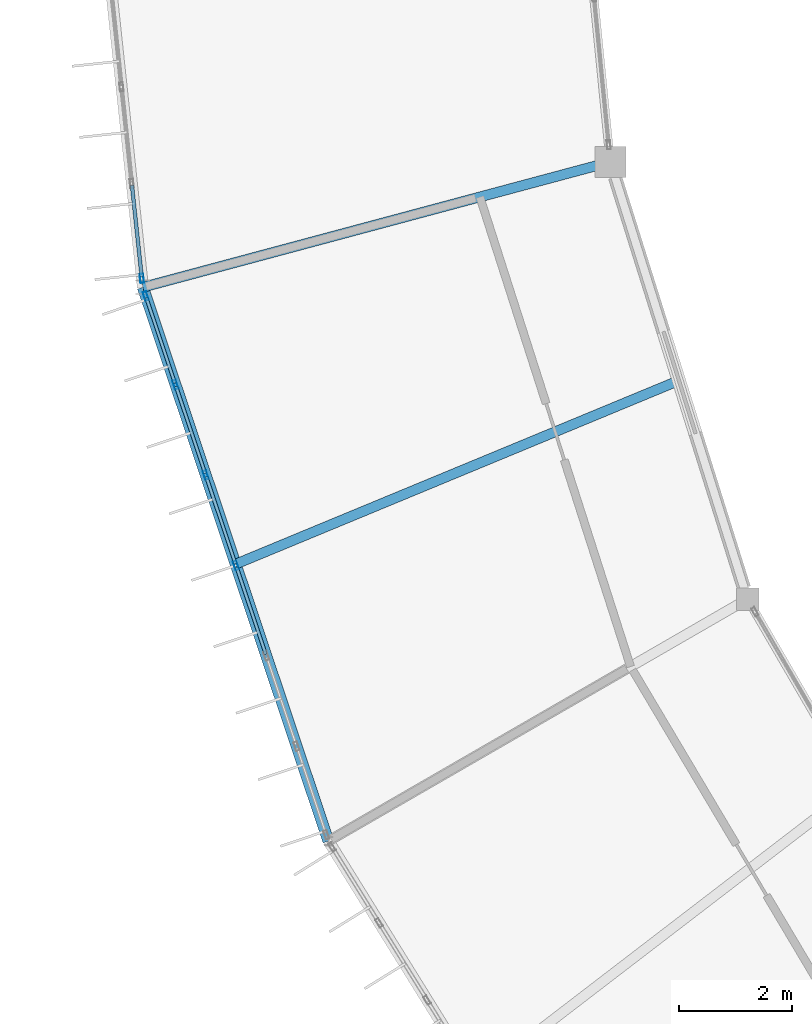
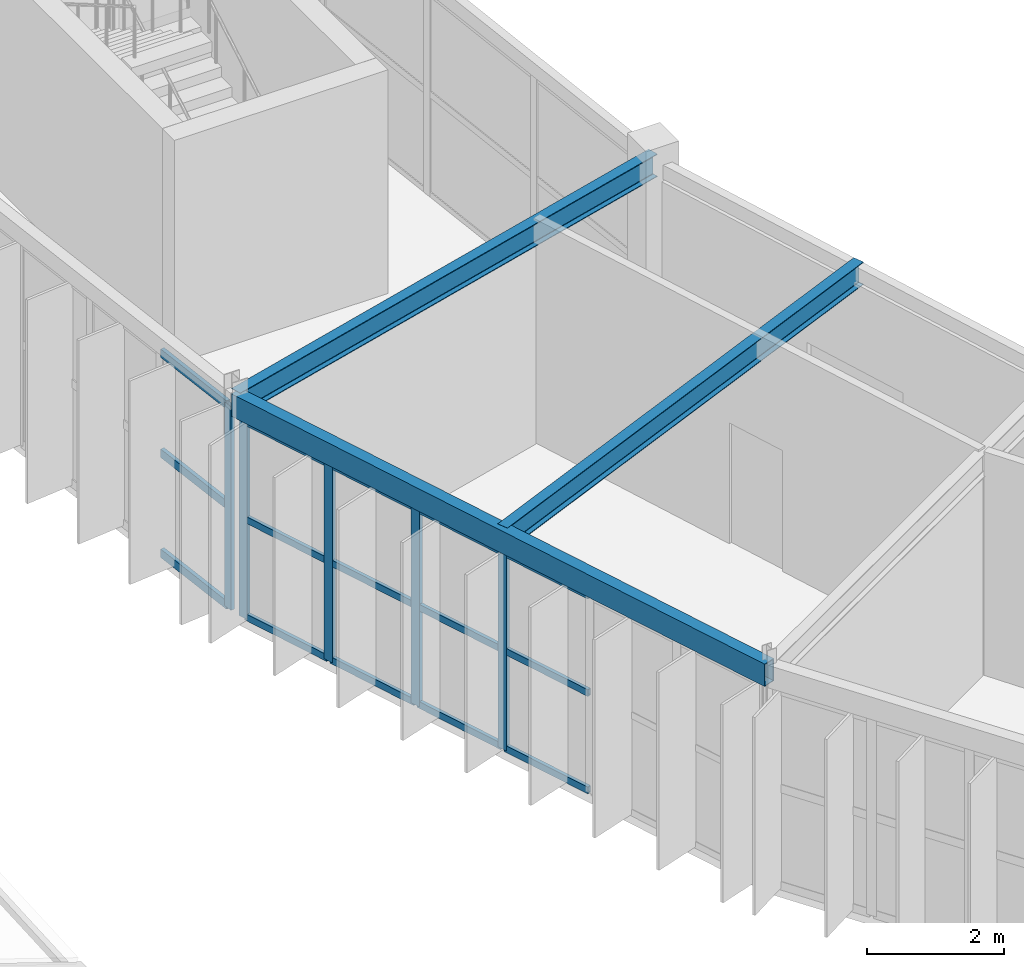
# One storey, part 39 of 134: 20 members, 3 beams, 2 elements without a shape of their own.
"""IFC4 building model written with IfcOpenShell, lengths in metres."""

from ifc_helpers import new_model, si_unit, direction, frame, origin, origin_2d, place, context, subcontext, project, spatial, hollow_rectangle, i_section, extrude, material, material_profile, profile_set, type_object, element, aggregate, save


model = new_model("IFC4")

# Units and contexts
model_context = context("Model", 3, precision=1e-05, world=origin(), true_north=direction((0.0, 1.0)))
body_context = subcontext(model_context, "Body", "Model", "MODEL_VIEW")
ifc_project = project(units=[si_unit("LENGTHUNIT", "METRE"), si_unit("AREAUNIT", "SQUARE_METRE"), si_unit("VOLUMEUNIT", "CUBIC_METRE"), si_unit("PLANEANGLEUNIT", "RADIAN"), si_unit("MASSUNIT", "GRAM", prefix="KILO")], contexts=[model_context])

# Site, building, storey
site_placement = place(None, origin())
site = spatial("IfcSite", under=ifc_project, at=site_placement, CompositionType="ELEMENT")
building_placement = place(site_placement, origin())
building = spatial("IfcBuilding", under=site, at=building_placement, Name="Karori Crest Natural Sciences Institute", CompositionType="ELEMENT")
storey_placement = place(building_placement, frame((0.0, 0.0, 21.699951171875)))
storey = spatial("IfcBuildingStorey", under=building, at=storey_placement, Name="L05", CompositionType="ELEMENT", Elevation=21.699951171875)

# Beams
ifc_material_1 = material(Name="Structural steel AS/NZS 3679.1 Grade 350", Category="steel")
ifc_material_profile_1 = material_profile(ifc_material_1, i_section(OverallWidth=0.177978515625, OverallDepth=0.406005859375, WebThickness=0.0078125, FlangeThickness=0.0126953125, FilletRadius=0.010986328125, at=origin_2d()), Name="410UB59.7")
ifc_profile_set_1 = profile_set([ifc_material_profile_1], Name="Structural steel AS/NZS 3679.1 Grade 350")
beam_type_1 = type_object("IfcBeamType", Name="BT-07", PredefinedType="BEAM", material=ifc_profile_set_1)
beam_1_placement = place(storey_placement, frame((42.831298828125, 41.56591796875, 3.739990234375), z_axis=(-0.965925622404, -0.258819806009, 0.0), x_axis=(0.258819806009, -0.965925622404, 0.0)))
element("IfcBeam", 1, at=beam_1_placement, inside=storey, type_object=beam_type_1, Name="Beam B-0685", PredefinedType="BEAM", context=body_context, shape_type="SweptSolid", body=[
    extrude(i_section(OverallWidth=0.177978515625, OverallDepth=0.406005859375, WebThickness=0.0078125, FlangeThickness=0.0126953125, FilletRadius=0.010986328125, at=origin_2d()), origin(), (0.0, 0.0, 1.0), 8.599853515625),
])
beam_2_placement = place(storey_placement, frame((44.05029296875, 37.68310546875, 3.739990234375), z_axis=(-0.923879682373, -0.382683070567, 0.0), x_axis=(0.382683070567, -0.923879682373, 0.0)))
element("IfcBeam", 2, at=beam_2_placement, inside=storey, type_object=beam_type_1, Name="Beam B-2894", PredefinedType="BEAM", context=body_context, shape_type="SweptSolid", body=[
    extrude(i_section(OverallWidth=0.177978515625, OverallDepth=0.406005859375, WebThickness=0.0078125, FlangeThickness=0.0126953125, FilletRadius=0.010986328125, at=origin_2d()), origin(), (0.0, 0.0, 1.0), 8.5263671875),
])
ifc_material_2 = material(Name="Hollow structural steel AS/NZS 1163 Grade C350", Category="steel")
ifc_material_profile_2 = material_profile(ifc_material_2, hollow_rectangle(XDim=0.199951171875, YDim=0.39990234375, WallThickness=0.012451171875, at=origin_2d()), Name="RHS400x200x12.5")
ifc_profile_set_2 = profile_set([ifc_material_profile_2], Name="Hollow structural steel AS/NZS 1163 Grade C350")
beam_type_2 = type_object("IfcBeamType", Name="BT-14", PredefinedType="SPANDREL", material=ifc_profile_set_2)
beam_3_placement = place(storey_placement, frame((34.5244140625, 39.340087890625, 3.739990234375), z_axis=(0.317688324477, -0.948195195353, 0.0), x_axis=(0.948195195353, 0.317688324477, 0.0)))
element("IfcBeam", 3, at=beam_3_placement, inside=storey, type_object=beam_type_2, Name="Beam B-0683", PredefinedType="SPANDREL", context=body_context, shape_type="SweptSolid", body=[
    extrude(hollow_rectangle(XDim=0.199951171875, YDim=0.39990234375, WallThickness=0.012451171875, at=origin_2d()), origin(), (0.0, 0.0, 1.0), 10.377685546875),
])

# Curtain wall, member
ifc_material_3 = material(Name="Anodised architectural aluminium 6063-T6", Category="aluminium")
curtain_wall_type_1 = type_object("IfcCurtainWallType", Name="CWT-03", PredefinedType="NOTDEFINED", material=ifc_material_3)
curtain_wall_1_placement = place(storey_placement, origin())
curtain_wall_1 = element("IfcCurtainWall", 4, at=curtain_wall_1_placement, inside=storey, type_object=curtain_wall_type_1, Name="Curtain wall CW-0190", PredefinedType="NOTDEFINED")
ifc_material_profile_3 = material_profile(ifc_material_3, hollow_rectangle(XDim=0.06494140625, YDim=0.159912109375, WallThickness=0.00390625, at=origin_2d()), Name="CWM160x65x4")
ifc_profile_set_3 = profile_set([ifc_material_profile_3], Name="Anodised architectural aluminium 6063-T6")
member_type_1 = type_object("IfcMemberType", Name="CWM-01", PredefinedType="MULLION", material=ifc_profile_set_3)
member_1_placement = place(storey_placement, frame((34.507568359375, 39.49755859375, 0.0), z_axis=(0.0, 0.0, 1.0), x_axis=(-0.994378435661, -0.105884496939, 0.0)))
member_1 = element("IfcMember", 5, at=member_1_placement, type_object=member_type_1, Name="CW-0190 mullion 1", PredefinedType="MULLION", context=body_context, shape_type="SweptSolid", body=[
    extrude(hollow_rectangle(XDim=0.06494140625, YDim=0.159912109375, WallThickness=0.00390625, at=origin_2d()), origin(), (0.0, 0.0, 1.0), 3.625),
])

# Curtain wall, members
curtain_wall_type_2 = type_object("IfcCurtainWallType", Name="CWT-04", PredefinedType="NOTDEFINED", material=ifc_material_3)
curtain_wall_2_placement = place(storey_placement, origin())
curtain_wall_2 = element("IfcCurtainWall", 6, at=curtain_wall_2_placement, inside=storey, type_object=curtain_wall_type_2, Name="Curtain wall CW-0192", PredefinedType="NOTDEFINED")
member_2_placement = place(storey_placement, frame((36.180419921875, 34.397216796875, 0.0), z_axis=(0.0, 0.0, 1.0), x_axis=(-0.94819805026, -0.317679803392, 0.0)))
member_2 = element("IfcMember", 7, at=member_2_placement, type_object=member_type_1, Name="CW-0192 mullion 4", PredefinedType="MULLION", context=body_context, shape_type="SweptSolid", body=[
    extrude(hollow_rectangle(XDim=0.06494140625, YDim=0.159912109375, WallThickness=0.00390625, at=origin_2d()), origin(), (0.0, 0.0, 1.0), 3.525146484375),
])
member_3_placement = place(storey_placement, frame((35.642333984375, 36.003173828125, 0.0), z_axis=(0.0, 0.0, 1.0), x_axis=(-0.94819805026, -0.317679803392, 0.0)))
member_3 = element("IfcMember", 8, at=member_3_placement, type_object=member_type_1, Name="CW-0192 mullion 5", PredefinedType="MULLION", context=body_context, shape_type="SweptSolid", body=[
    extrude(hollow_rectangle(XDim=0.06494140625, YDim=0.159912109375, WallThickness=0.00390625, at=origin_2d()), origin(), (0.0, 0.0, 1.0), 3.525146484375),
])
member_4_placement = place(storey_placement, frame((35.104248046875, 37.609130859375, 0.0), z_axis=(0.0, 0.0, 1.0), x_axis=(-0.94819805026, -0.317679803392, 0.0)))
member_4 = element("IfcMember", 9, at=member_4_placement, type_object=member_type_1, Name="CW-0192 mullion 6", PredefinedType="MULLION", context=body_context, shape_type="SweptSolid", body=[
    extrude(hollow_rectangle(XDim=0.06494140625, YDim=0.159912109375, WallThickness=0.00390625, at=origin_2d()), origin(), (0.0, 0.0, 1.0), 3.525146484375),
])
member_5_placement = place(storey_placement, frame((34.57666015625, 39.184326171875, 0.0), z_axis=(0.0, 0.0, 1.0), x_axis=(-0.94819805026, -0.317679803392, 0.0)))
member_5 = element("IfcMember", 10, at=member_5_placement, type_object=member_type_1, Name="CW-0192 mullion 7", PredefinedType="MULLION", context=body_context, shape_type="SweptSolid", body=[
    extrude(hollow_rectangle(XDim=0.06494140625, YDim=0.159912109375, WallThickness=0.00390625, at=origin_2d()), origin(), (0.0, 0.0, 1.0), 3.525146484375),
])
ifc_material_profile_4 = material_profile(ifc_material_3, hollow_rectangle(XDim=0.06005859375, YDim=0.1201171875, WallThickness=0.00390625, at=origin_2d()), Name="CWT120x60x4")
ifc_profile_set_4 = profile_set([ifc_material_profile_4], Name="Anodised architectural aluminium 6063-T6")
member_type_2 = type_object("IfcMemberType", Name="CWT-TR1", PredefinedType="USERDEFINED", material=ifc_profile_set_4)
member_6_placement = place(storey_placement, frame((36.708251953125, 32.822021484375, 0.030029296875), z_axis=(-0.317666571129, 0.948202483432, 0.0), x_axis=(-0.948202483432, -0.317666571129, 0.0)))
member_6 = element("IfcMember", 11, at=member_6_placement, type_object=member_type_2, Name="CW-0192 transom 3.1", ObjectType="TRANSOM", PredefinedType="USERDEFINED", context=body_context, shape_type="SweptSolid", body=[
    extrude(hollow_rectangle(XDim=0.06005859375, YDim=0.1201171875, WallThickness=0.00390625, at=origin_2d()), origin(), (0.0, 0.0, 1.0), 1.628662109375),
])
member_7_placement = place(storey_placement, frame((36.708251953125, 32.822021484375, 1.762451171875), z_axis=(-0.317666571129, 0.948202483432, 0.0), x_axis=(-0.948202483432, -0.317666571129, 0.0)))
member_7 = element("IfcMember", 12, at=member_7_placement, type_object=member_type_2, Name="CW-0192 transom 3.2", ObjectType="TRANSOM", PredefinedType="USERDEFINED", context=body_context, shape_type="SweptSolid", body=[
    extrude(hollow_rectangle(XDim=0.06005859375, YDim=0.1201171875, WallThickness=0.00390625, at=origin_2d()), origin(), (0.0, 0.0, 1.0), 1.628662109375),
])
member_8_placement = place(storey_placement, frame((36.708251953125, 32.822021484375, 3.4951171875), z_axis=(-0.317666571129, 0.948202483432, 0.0), x_axis=(-0.948202483432, -0.317666571129, 0.0)))
member_8 = element("IfcMember", 13, at=member_8_placement, type_object=member_type_2, Name="CW-0192 transom 3.3", ObjectType="TRANSOM", PredefinedType="USERDEFINED", context=body_context, shape_type="SweptSolid", body=[
    extrude(hollow_rectangle(XDim=0.06005859375, YDim=0.1201171875, WallThickness=0.00390625, at=origin_2d()), origin(), (0.0, 0.0, 1.0), 1.628662109375),
])
member_9_placement = place(storey_placement, frame((36.170166015625, 34.427978515625, 0.030029296875), z_axis=(-0.317666571129, 0.948202483432, 0.0), x_axis=(-0.948202483432, -0.317666571129, 0.0)))
member_9 = element("IfcMember", 14, at=member_9_placement, type_object=member_type_2, Name="CW-0192 transom 4.1", ObjectType="TRANSOM", PredefinedType="USERDEFINED", context=body_context, shape_type="SweptSolid", body=[
    extrude(hollow_rectangle(XDim=0.06005859375, YDim=0.1201171875, WallThickness=0.00390625, at=origin_2d()), origin(), (0.0, 0.0, 1.0), 1.628662109375),
])
member_10_placement = place(storey_placement, frame((36.170166015625, 34.427978515625, 1.762451171875), z_axis=(-0.317666571129, 0.948202483432, 0.0), x_axis=(-0.948202483432, -0.317666571129, 0.0)))
member_10 = element("IfcMember", 15, at=member_10_placement, type_object=member_type_2, Name="CW-0192 transom 4.2", ObjectType="TRANSOM", PredefinedType="USERDEFINED", context=body_context, shape_type="SweptSolid", body=[
    extrude(hollow_rectangle(XDim=0.06005859375, YDim=0.1201171875, WallThickness=0.00390625, at=origin_2d()), origin(), (0.0, 0.0, 1.0), 1.628662109375),
])
member_11_placement = place(storey_placement, frame((36.170166015625, 34.427978515625, 3.4951171875), z_axis=(-0.317666571129, 0.948202483432, 0.0), x_axis=(-0.948202483432, -0.317666571129, 0.0)))
member_11 = element("IfcMember", 16, at=member_11_placement, type_object=member_type_2, Name="CW-0192 transom 4.3", ObjectType="TRANSOM", PredefinedType="USERDEFINED", context=body_context, shape_type="SweptSolid", body=[
    extrude(hollow_rectangle(XDim=0.06005859375, YDim=0.1201171875, WallThickness=0.00390625, at=origin_2d()), origin(), (0.0, 0.0, 1.0), 1.628662109375),
])
member_12_placement = place(storey_placement, frame((35.632080078125, 36.033935546875, 0.030029296875), z_axis=(-0.317621421426, 0.948217608279, 0.0), x_axis=(-0.948217608279, -0.317621421426, 0.0)))
member_12 = element("IfcMember", 17, at=member_12_placement, type_object=member_type_2, Name="CW-0192 transom 5.1", ObjectType="TRANSOM", PredefinedType="USERDEFINED", context=body_context, shape_type="SweptSolid", body=[
    extrude(hollow_rectangle(XDim=0.06005859375, YDim=0.1201171875, WallThickness=0.00390625, at=origin_2d()), origin(), (0.0, 0.0, 1.0), 1.628662109375),
])
member_13_placement = place(storey_placement, frame((35.632080078125, 36.033935546875, 1.762451171875), z_axis=(-0.317621421426, 0.948217608279, 0.0), x_axis=(-0.948217608279, -0.317621421426, 0.0)))
member_13 = element("IfcMember", 18, at=member_13_placement, type_object=member_type_2, Name="CW-0192 transom 5.2", ObjectType="TRANSOM", PredefinedType="USERDEFINED", context=body_context, shape_type="SweptSolid", body=[
    extrude(hollow_rectangle(XDim=0.06005859375, YDim=0.1201171875, WallThickness=0.00390625, at=origin_2d()), origin(), (0.0, 0.0, 1.0), 1.628662109375),
])
member_14_placement = place(storey_placement, frame((35.632080078125, 36.033935546875, 3.4951171875), z_axis=(-0.317621421426, 0.948217608279, 0.0), x_axis=(-0.948217608279, -0.317621421426, 0.0)))
member_14 = element("IfcMember", 19, at=member_14_placement, type_object=member_type_2, Name="CW-0192 transom 5.3", ObjectType="TRANSOM", PredefinedType="USERDEFINED", context=body_context, shape_type="SweptSolid", body=[
    extrude(hollow_rectangle(XDim=0.06005859375, YDim=0.1201171875, WallThickness=0.00390625, at=origin_2d()), origin(), (0.0, 0.0, 1.0), 1.628662109375),
])
member_15_placement = place(storey_placement, frame((35.093994140625, 37.639892578125, 0.030029296875), z_axis=(-0.317649722808, 0.948208127786, 0.0), x_axis=(-0.948208127786, -0.317649722808, 0.0)))
member_15 = element("IfcMember", 20, at=member_15_placement, type_object=member_type_2, Name="CW-0192 transom 6.1", ObjectType="TRANSOM", PredefinedType="USERDEFINED", context=body_context, shape_type="SweptSolid", body=[
    extrude(hollow_rectangle(XDim=0.06005859375, YDim=0.1201171875, WallThickness=0.00390625, at=origin_2d()), origin(), (0.0, 0.0, 1.0), 1.596435546875),
])
member_16_placement = place(storey_placement, frame((35.093994140625, 37.639892578125, 1.762451171875), z_axis=(-0.317649722808, 0.948208127786, 0.0), x_axis=(-0.948208127786, -0.317649722808, 0.0)))
member_16 = element("IfcMember", 21, at=member_16_placement, type_object=member_type_2, Name="CW-0192 transom 6.2", ObjectType="TRANSOM", PredefinedType="USERDEFINED", context=body_context, shape_type="SweptSolid", body=[
    extrude(hollow_rectangle(XDim=0.06005859375, YDim=0.1201171875, WallThickness=0.00390625, at=origin_2d()), origin(), (0.0, 0.0, 1.0), 1.596435546875),
])
member_17_placement = place(storey_placement, frame((35.093994140625, 37.639892578125, 3.4951171875), z_axis=(-0.317649722808, 0.948208127786, 0.0), x_axis=(-0.948208127786, -0.317649722808, 0.0)))
member_17 = element("IfcMember", 22, at=member_17_placement, type_object=member_type_2, Name="CW-0192 transom 6.3", ObjectType="TRANSOM", PredefinedType="USERDEFINED", context=body_context, shape_type="SweptSolid", body=[
    extrude(hollow_rectangle(XDim=0.06005859375, YDim=0.1201171875, WallThickness=0.00390625, at=origin_2d()), origin(), (0.0, 0.0, 1.0), 1.596435546875),
])
aggregate(curtain_wall_2, [member_2, member_3, member_4, member_5, member_6, member_7, member_8, member_9, member_10, member_11, member_12, member_13, member_14, member_15, member_16, member_17])

# Member
ifc_material_profile_5 = material_profile(ifc_material_3, hollow_rectangle(XDim=0.06494140625, YDim=0.14990234375, WallThickness=0.00390625, at=origin_2d()), Name="CWT150x65x4")
ifc_profile_set_5 = profile_set([ifc_material_profile_5], Name="Anodised architectural aluminium 6063-T6")
member_type_3 = type_object("IfcMemberType", Name="CWT-TR2", PredefinedType="USERDEFINED", material=ifc_profile_set_5)
member_18_placement = place(storey_placement, frame((34.504150390625, 39.52978515625, 0.032470703125), z_axis=(-0.105893191658, 0.994377509782, 0.0), x_axis=(-0.994377509782, -0.105893191658, 0.0)))
member_18 = element("IfcMember", 23, at=member_18_placement, type_object=member_type_3, Name="CW-0190 transom 1.1", ObjectType="TRANSOM", PredefinedType="USERDEFINED", context=body_context, shape_type="SweptSolid", body=[
    extrude(hollow_rectangle(XDim=0.06494140625, YDim=0.14990234375, WallThickness=0.00390625, at=origin_2d()), origin(), (0.0, 0.0, 1.0), 1.630126953125),
])

member_19_placement = place(storey_placement, frame((34.504150390625, 39.52978515625, 1.8125), z_axis=(-0.105893191658, 0.994377509782, 0.0), x_axis=(-0.994377509782, -0.105893191658, 0.0)))
member_19 = element("IfcMember", 24, at=member_19_placement, type_object=member_type_3, Name="CW-0190 transom 1.2", ObjectType="TRANSOM", PredefinedType="USERDEFINED", context=body_context, shape_type="SweptSolid", body=[
    extrude(hollow_rectangle(XDim=0.06494140625, YDim=0.14990234375, WallThickness=0.00390625, at=origin_2d()), origin(), (0.0, 0.0, 1.0), 1.630126953125),
])

member_20_placement = place(storey_placement, frame((34.504150390625, 39.52978515625, 3.592529296875), z_axis=(-0.105893191658, 0.994377509782, 0.0), x_axis=(-0.994377509782, -0.105893191658, 0.0)))
member_20 = element("IfcMember", 25, at=member_20_placement, type_object=member_type_3, Name="CW-0190 transom 1.3", ObjectType="TRANSOM", PredefinedType="USERDEFINED", context=body_context, shape_type="SweptSolid", body=[
    extrude(hollow_rectangle(XDim=0.06494140625, YDim=0.14990234375, WallThickness=0.00390625, at=origin_2d()), origin(), (0.0, 0.0, 1.0), 1.630126953125),
])

aggregate(curtain_wall_1, [member_1, member_18, member_19, member_20])

save(model, "model.ifc")
